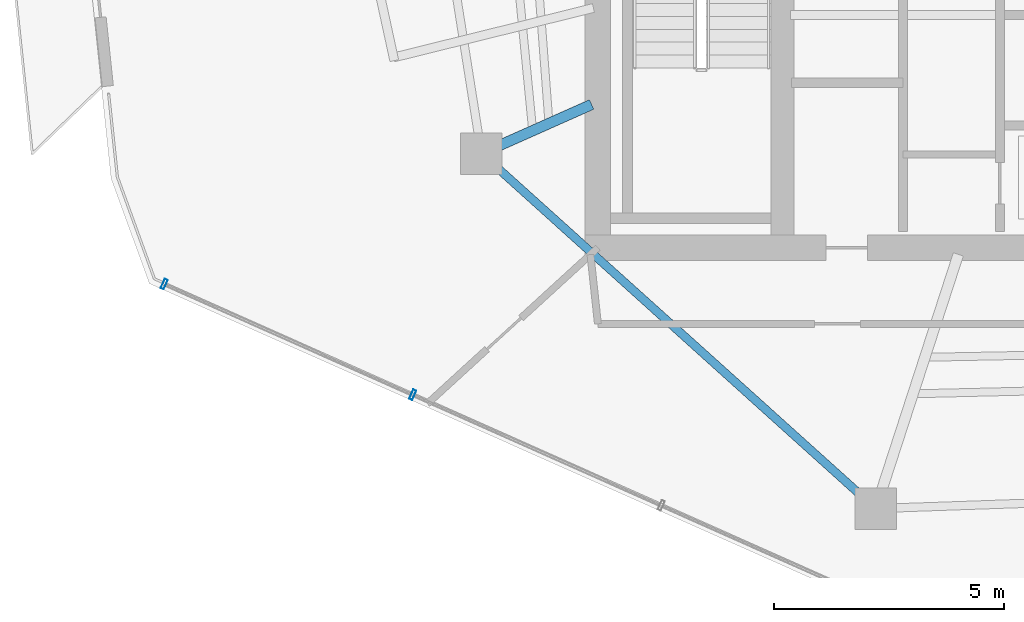
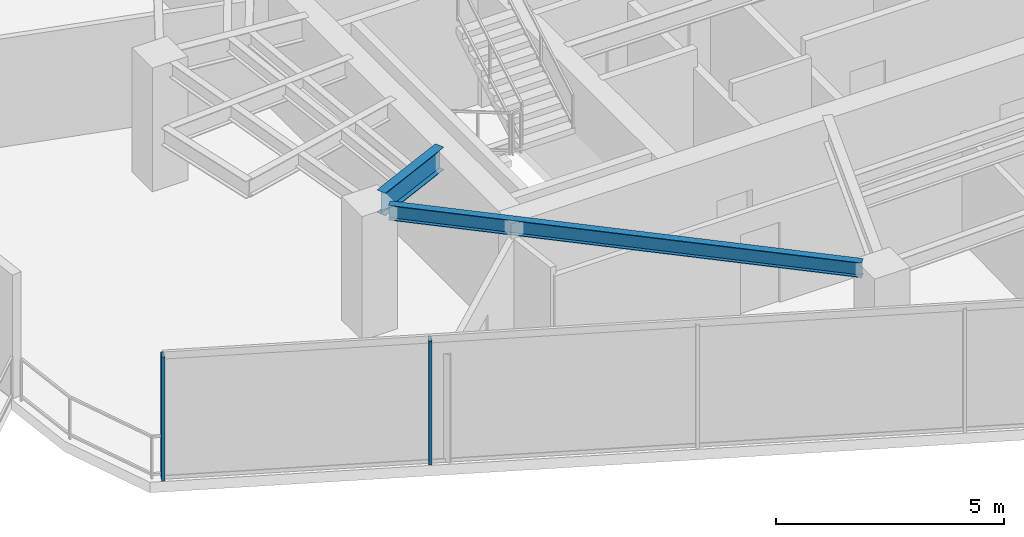
# One storey, part 4 of 20: 2 beams, 2 members, 1 element without a shape of its own.
"""IFC4 building model written with IfcOpenShell, lengths in metres."""

from ifc_helpers import new_model, si_unit, direction, frame, origin, origin_2d, place, context, subcontext, project, spatial, hollow_rectangle, i_section, extrude, material, layer, layer_set, material_profile, profile_set, type_object, element, aggregate, save


model = new_model("IFC4")

# Units and contexts
model_context = context("Model", 3, precision=1e-05, world=origin(), true_north=direction((0.0, 1.0)))
body_context = subcontext(model_context, "Body", "Model", "MODEL_VIEW")
ifc_project = project(units=[si_unit("LENGTHUNIT", "METRE"), si_unit("AREAUNIT", "SQUARE_METRE"), si_unit("VOLUMEUNIT", "CUBIC_METRE"), si_unit("PLANEANGLEUNIT", "RADIAN"), si_unit("MASSUNIT", "GRAM", prefix="KILO")], contexts=[model_context])

# Site, building, storey
site_placement = place(None, origin())
site = spatial("IfcSite", under=ifc_project, at=site_placement, CompositionType="ELEMENT")
building_placement = place(site_placement, origin())
building = spatial("IfcBuilding", under=site, at=building_placement, Name="Qarnah Convention Tower", CompositionType="ELEMENT")
storey_placement = place(building_placement, frame((0.0, 0.0, 202.199951171875)))
storey = spatial("IfcBuildingStorey", under=building, at=storey_placement, Name="L54", CompositionType="ELEMENT", Elevation=202.199951171875)

# Beams
ifc_material_1 = material(Name="Structural steel S355JR", Category="steel")
ifc_material_profile_1 = material_profile(ifc_material_1, i_section(OverallWidth=0.22802734375, OverallDepth=0.60791015625, WebThickness=0.010986328125, FlangeThickness=0.01708984375, at=origin_2d()), Name="W610X113")
ifc_profile_set_1 = profile_set([ifc_material_profile_1], Name="Structural steel S355JR")
beam_type_1 = type_object("IfcBeamType", Name="BM-RAD-W610B", PredefinedType="BEAM", material=ifc_profile_set_1)
beam_1_placement = place(storey_placement, frame((26.6630859375, 21.708984375, 3.01611328125), z_axis=(-0.913585734164, -0.406646168471, 0.0), x_axis=(0.406646168471, -0.913585734164, 0.0)))
element("IfcBeam", 1, at=beam_1_placement, inside=storey, type_object=beam_type_1, Name="L54 beam BM-L54-RAD-06", PredefinedType="BEAM", context=body_context, shape_type="SweptSolid", body=[
    extrude(i_section(OverallWidth=0.22802734375, OverallDepth=0.60791015625, WebThickness=0.010986328125, FlangeThickness=0.01708984375, at=origin_2d()), origin(), (0.0, 0.0, 1.0), 2.18603515625),
])
ifc_material_profile_2 = material_profile(ifc_material_1, i_section(OverallWidth=0.179931640625, OverallDepth=0.39990234375, WebThickness=0.009033203125, FlangeThickness=0.013916015625, at=origin_2d()), Name="IPE400")
ifc_profile_set_2 = profile_set([ifc_material_profile_2], Name="Structural steel S355JR")
beam_type_2 = type_object("IfcBeamType", Name="BM-SPN-IPE400", PredefinedType="SPANDREL", material=ifc_profile_set_2)
beam_2_placement = place(storey_placement, frame((24.60009765625, 20.35107421875, 3.1201171875), z_axis=(0.743102275255, -0.669177860147, 0.0), x_axis=(0.669177860147, 0.743102275255, 0.0)))
element("IfcBeam", 2, at=beam_2_placement, inside=storey, type_object=beam_type_2, Name="L54 spandrel BM-L54-SPN-06", PredefinedType="SPANDREL", context=body_context, shape_type="SweptSolid", body=[
    extrude(i_section(OverallWidth=0.179931640625, OverallDepth=0.39990234375, WebThickness=0.009033203125, FlangeThickness=0.013916015625, at=origin_2d()), origin(), (0.0, 0.0, 1.0), 10.630859375),
])

# Curtain wall, members
ifc_material_2 = material(Name="Tempered Low-E dark glass", Category="glass")
ifc_layer = layer(ifc_material_2, 0.174072265625)
ifc_layer_set = layer_set([ifc_layer], Name="Tempered Low-E dark glass")
curtain_wall_type = type_object("IfcCurtainWallType", Name="CWS-04", PredefinedType="NOTDEFINED", material=ifc_layer_set)
curtain_wall_placement = place(storey_placement, origin())
curtain_wall = element("IfcCurtainWall", 3, at=curtain_wall_placement, inside=storey, type_object=curtain_wall_type, Name="L54 unitised curtain wall CW-L54-F1", PredefinedType="NOTDEFINED")
ifc_material_3 = material(Name="Black anodised aluminium", Category="aluminium")
ifc_material_profile_3 = material_profile(ifc_material_3, hollow_rectangle(XDim=0.074951171875, YDim=0.219970703125, WallThickness=0.0048828125, at=origin_2d()), Name="MUL-75X220")
ifc_profile_set_3 = profile_set([ifc_material_profile_3], Name="Black anodised aluminium")
member_type = type_object("IfcMemberType", Name="MUL-T4", PredefinedType="MULLION", material=ifc_profile_set_3)
member_1_placement = place(storey_placement, frame((22.782958984375, 15.411376953125, 0.0), z_axis=(0.0, 0.0, 1.0), x_axis=(-0.913550057667, 0.406726311094, 0.0)))
member_1 = element("IfcMember", 4, at=member_1_placement, type_object=member_type, Name="CW-L54-F1 mullion 5", PredefinedType="MULLION", context=body_context, shape_type="SweptSolid", body=[
    extrude(hollow_rectangle(XDim=0.074951171875, YDim=0.219970703125, WallThickness=0.0048828125, at=origin_2d()), origin(), (0.0, 0.0, 1.0), 3.320068359375),
])
member_2_placement = place(storey_placement, frame((17.39111328125, 17.81201171875, 0.0), z_axis=(0.0, 0.0, 1.0), x_axis=(-0.913550057667, 0.406726311094, 0.0)))
member_2 = element("IfcMember", 5, at=member_2_placement, type_object=member_type, Name="CW-L54-F1 mullion 6", PredefinedType="MULLION", context=body_context, shape_type="SweptSolid", body=[
    extrude(hollow_rectangle(XDim=0.074951171875, YDim=0.219970703125, WallThickness=0.0048828125, at=origin_2d()), origin(), (0.0, 0.0, 1.0), 3.320068359375),
])
aggregate(curtain_wall, [member_1, member_2])

save(model, "model.ifc")
